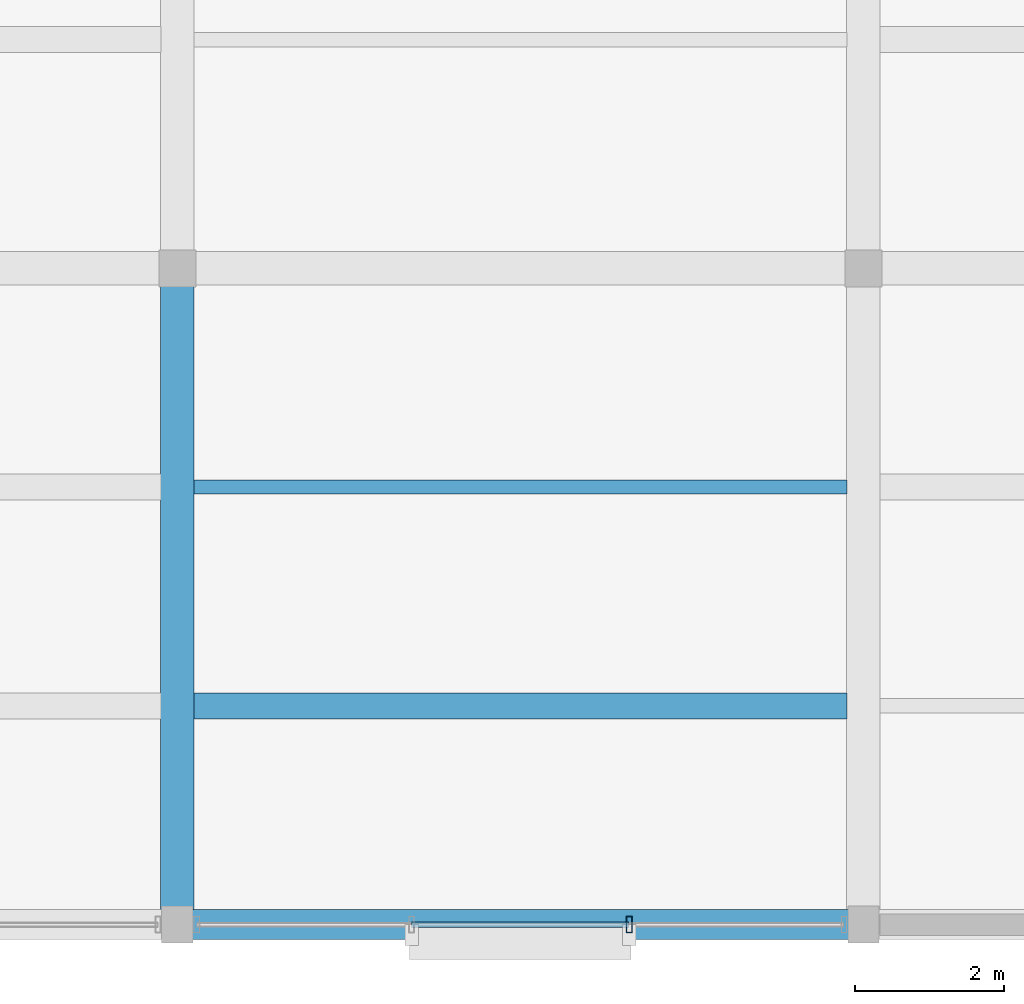
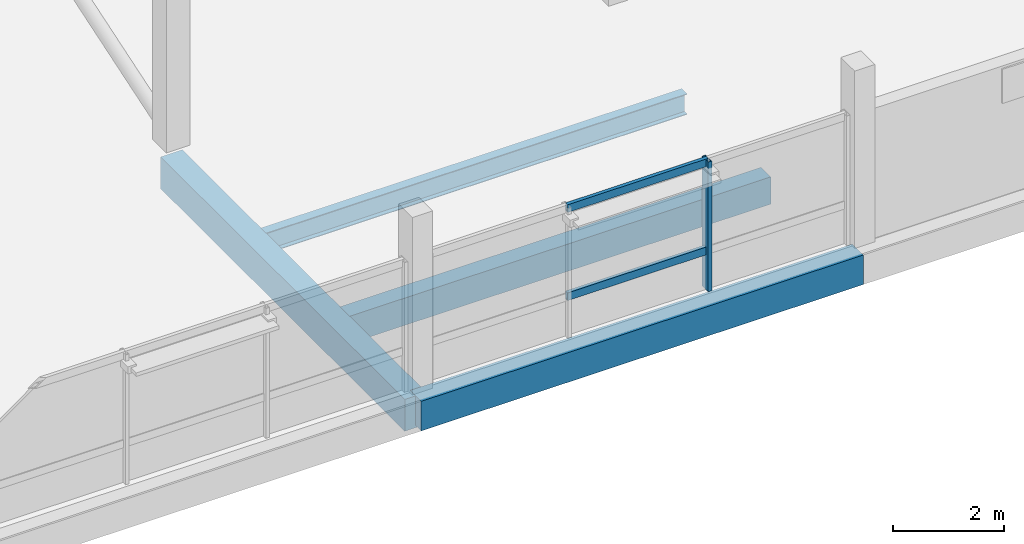
# One storey, part 7 of 62: 4 beams, 3 members, 1 element without a shape of its own.
"""IFC4 building model written with IfcOpenShell, lengths in metres."""

from ifc_helpers import new_model, si_unit, direction, frame, origin, origin_2d, place, context, subcontext, project, spatial, rectangle, hollow_rectangle, i_section, extrude, material, layer, layer_set, material_profile, profile_set, type_object, element, aggregate, save


model = new_model("IFC4")

# Units and contexts
model_context = context("Model", 3, precision=1e-05, world=origin(), true_north=direction((0.0, 1.0)))
body_context = subcontext(model_context, "Body", "Model", "MODEL_VIEW")
ifc_project = project(units=[si_unit("LENGTHUNIT", "METRE"), si_unit("AREAUNIT", "SQUARE_METRE"), si_unit("VOLUMEUNIT", "CUBIC_METRE"), si_unit("PLANEANGLEUNIT", "RADIAN"), si_unit("MASSUNIT", "GRAM", prefix="KILO")], contexts=[model_context])

# Site, building, storey
site_placement = place(None, origin())
site = spatial("IfcSite", under=ifc_project, at=site_placement, CompositionType="ELEMENT")
building_placement = place(site_placement, origin())
building = spatial("IfcBuilding", under=site, at=building_placement, Name="Meriwether Solvik Hall", CompositionType="ELEMENT")
storey_placement = place(building_placement, frame((0.0, 0.0, 14.39990234375)))
storey = spatial("IfcBuildingStorey", under=building, at=storey_placement, Name="L03", CompositionType="ELEMENT", Elevation=14.39990234375)

# Beams
ifc_material_1 = material(Name="Concrete C40/50", Category="concrete")
ifc_material_profile_1 = material_profile(ifc_material_1, rectangle(XDim=0.35009765625, YDim=0.60009765625, at=origin_2d()), Name="RCB-350X600")
ifc_profile_set_1 = profile_set([ifc_material_profile_1], Name="Concrete C40/50")
beam_type_1 = type_object("IfcBeamType", Name="BM-RC-350X600", PredefinedType="JOIST", material=ifc_profile_set_1)
beam_1_placement = place(storey_placement, frame((68.820068359375, 8.13330078125, -0.544921875), z_axis=(1.0, 0.0, 0.0), x_axis=(0.0, 1.0, 0.0)))
element("IfcBeam", 1, at=beam_1_placement, inside=storey, type_object=beam_type_1, Name="Secondary Floor Joist 8/A_J1 (L03)", PredefinedType="JOIST", context=body_context, shape_type="SweptSolid", body=[
    extrude(rectangle(XDim=0.35009765625, YDim=0.60009765625, at=origin_2d()), origin(), (0.0, 0.0, 1.0), 8.760009765625),
])
ifc_material_2 = material(Name="Concrete C40/50", Category="concrete")
ifc_material_profile_2 = material_profile(ifc_material_2, rectangle(XDim=0.39990234375, YDim=0.64990234375, at=origin_2d()), Name="RCB-400X650")
ifc_profile_set_2 = profile_set([ifc_material_profile_2], Name="Concrete C40/50")
beam_type_2 = type_object("IfcBeamType", Name="BM-RC-400X650", PredefinedType="SPANDREL", material=ifc_profile_set_2)
beam_2_placement = place(storey_placement, frame((68.60009765625, 5.199951171875, -0.56982421875), z_axis=(1.0, 0.0, 0.0), x_axis=(0.0, 1.0, 0.0)))
element("IfcBeam", 2, at=beam_2_placement, inside=storey, type_object=beam_type_2, Name="Podium Girder A:8-9 (L03)", PredefinedType="SPANDREL", context=body_context, shape_type="SweptSolid", body=[
    extrude(rectangle(XDim=0.39990234375, YDim=0.64990234375, at=origin_2d()), origin(), (0.0, 0.0, 1.0), 9.199951171875),
])
ifc_material_3 = material(Name="Concrete C40/50", Category="concrete")
ifc_material_profile_3 = material_profile(ifc_material_3, rectangle(XDim=0.449951171875, YDim=0.699951171875, at=origin_2d()), Name="RCB-450X700")
ifc_profile_set_3 = profile_set([ifc_material_profile_3], Name="Concrete C40/50")
beam_type_3 = type_object("IfcBeamType", Name="BM-RC-450X700", PredefinedType="BEAM", material=ifc_profile_set_3)
beam_3_placement = place(storey_placement, frame((68.60009765625, 5.199951171875, -0.594970703125), z_axis=(0.0, 1.0, 0.0), x_axis=(-1.0, 0.0, 0.0)))
element("IfcBeam", 3, at=beam_3_placement, inside=storey, type_object=beam_type_3, Name="Podium Girder 8:A-B (L03)", PredefinedType="BEAM", context=body_context, shape_type="SweptSolid", body=[
    extrude(rectangle(XDim=0.449951171875, YDim=0.699951171875, at=origin_2d()), origin(), (0.0, 0.0, 1.0), 8.800048828125),
])
ifc_material_4 = material(Name="Steel A992 Grade 50", Category="steel")
ifc_material_profile_4 = material_profile(ifc_material_4, i_section(OverallWidth=0.19091796875, OverallDepth=0.45703125, WebThickness=0.009033203125, FlangeThickness=0.014404296875, at=origin_2d()), Name="W18X50")
ifc_profile_set_4 = profile_set([ifc_material_profile_4], Name="Steel A992 Grade 50")
beam_type_4 = type_object("IfcBeamType", Name="BM-STL-W18X50", PredefinedType="JOIST", material=ifc_profile_set_4)
beam_4_placement = place(storey_placement, frame((68.820068359375, 11.066650390625, -0.473388671875), z_axis=(1.0, 0.0, 0.0), x_axis=(0.0, 1.0, 0.0)))
element("IfcBeam", 4, at=beam_4_placement, inside=storey, type_object=beam_type_4, Name="Secondary Floor Joist 8/A_J2 (L03)", PredefinedType="JOIST", context=body_context, shape_type="SweptSolid", body=[
    extrude(i_section(OverallWidth=0.19091796875, OverallDepth=0.45703125, WebThickness=0.009033203125, FlangeThickness=0.014404296875, at=origin_2d()), origin(), (0.0, 0.0, 1.0), 8.760009765625),
])

# Curtain wall, members
ifc_material_5 = material(Name="Thermally Broken Anodised Aluminium 6063-T6 and Low-E Glass", Category="aluminium")
ifc_layer = layer(ifc_material_5, 0.179931640625)
ifc_layer_set = layer_set([ifc_layer], Name="Thermally Broken Anodised Aluminium 6063-T6 and Low-E Glass")
curtain_wall_type = type_object("IfcCurtainWallType", Name="CW-UNIT-E", PredefinedType="USERDEFINED", material=ifc_layer_set)
curtain_wall_placement = place(storey_placement, origin())
curtain_wall = element("IfcCurtainWall", 5, at=curtain_wall_placement, inside=storey, type_object=curtain_wall_type, Name="Curtain Wall wing_XA_8_1 (L03)", ObjectType="UNITISED CURTAIN WALL", PredefinedType="USERDEFINED")
ifc_material_6 = material(Name="Anodised Aluminium 6063-T6", Category="aluminium")
ifc_material_profile_5 = material_profile(ifc_material_6, hollow_rectangle(XDim=0.074951171875, YDim=0.219970703125, WallThickness=0.005615234375, at=origin_2d()), Name="CWM-75X220")
ifc_profile_set_5 = profile_set([ifc_material_profile_5], Name="Anodised Aluminium 6063-T6")
member_type_1 = type_object("IfcMemberType", Name="CW-MUL-75X220", PredefinedType="MULLION", material=ifc_profile_set_5)
member_1_placement = place(storey_placement, frame((74.659423828125, 5.199951171875, 0.0), z_axis=(0.0, 0.0, 1.0), x_axis=(-1.0, 0.0, 0.0)))
member_1 = element("IfcMember", 6, at=member_1_placement, type_object=member_type_1, Name="Curtain Wall Mullion 2", PredefinedType="MULLION", context=body_context, shape_type="SweptSolid", body=[
    extrude(hollow_rectangle(XDim=0.074951171875, YDim=0.219970703125, WallThickness=0.005615234375, at=origin_2d()), origin(), (0.0, 0.0, 1.0), 2.85498046875),
])
ifc_material_7 = material(Name="Anodised Aluminium 6063-T6", Category="aluminium")
ifc_material_profile_6 = material_profile(ifc_material_7, hollow_rectangle(XDim=0.074951171875, YDim=0.169921875, WallThickness=0.005615234375, at=origin_2d()), Name="CWT-75X170")
ifc_profile_set_6 = profile_set([ifc_material_profile_6], Name="Anodised Aluminium 6063-T6")
member_type_2 = type_object("IfcMemberType", Name="CW-TRN-75X170", PredefinedType="USERDEFINED", material=ifc_profile_set_6)
member_2_placement = place(storey_placement, frame((74.659423828125, 5.199951171875, 0.856689453125), z_axis=(-1.0, 0.0, 0.0), x_axis=(0.0, -1.0, 0.0)))
member_2 = element("IfcMember", 7, at=member_2_placement, type_object=member_type_2, Name="Curtain Wall Transom 2-sill", ObjectType="TRANSOM", PredefinedType="USERDEFINED", context=body_context, shape_type="SweptSolid", body=[
    extrude(hollow_rectangle(XDim=0.074951171875, YDim=0.169921875, WallThickness=0.005615234375, at=origin_2d()), origin(), (0.0, 0.0, 1.0), 2.918701171875),
])
member_3_placement = place(storey_placement, frame((74.659423828125, 5.199951171875, 2.795166015625), z_axis=(-1.0, 0.0, 0.0), x_axis=(0.0, -1.0, 0.0)))
member_3 = element("IfcMember", 8, at=member_3_placement, type_object=member_type_2, Name="Curtain Wall Transom 2-head", ObjectType="TRANSOM", PredefinedType="USERDEFINED", context=body_context, shape_type="SweptSolid", body=[
    extrude(hollow_rectangle(XDim=0.074951171875, YDim=0.169921875, WallThickness=0.005615234375, at=origin_2d()), origin(), (0.0, 0.0, 1.0), 2.918701171875),
])
aggregate(curtain_wall, [member_1, member_2, member_3])

save(model, "model.ifc")
